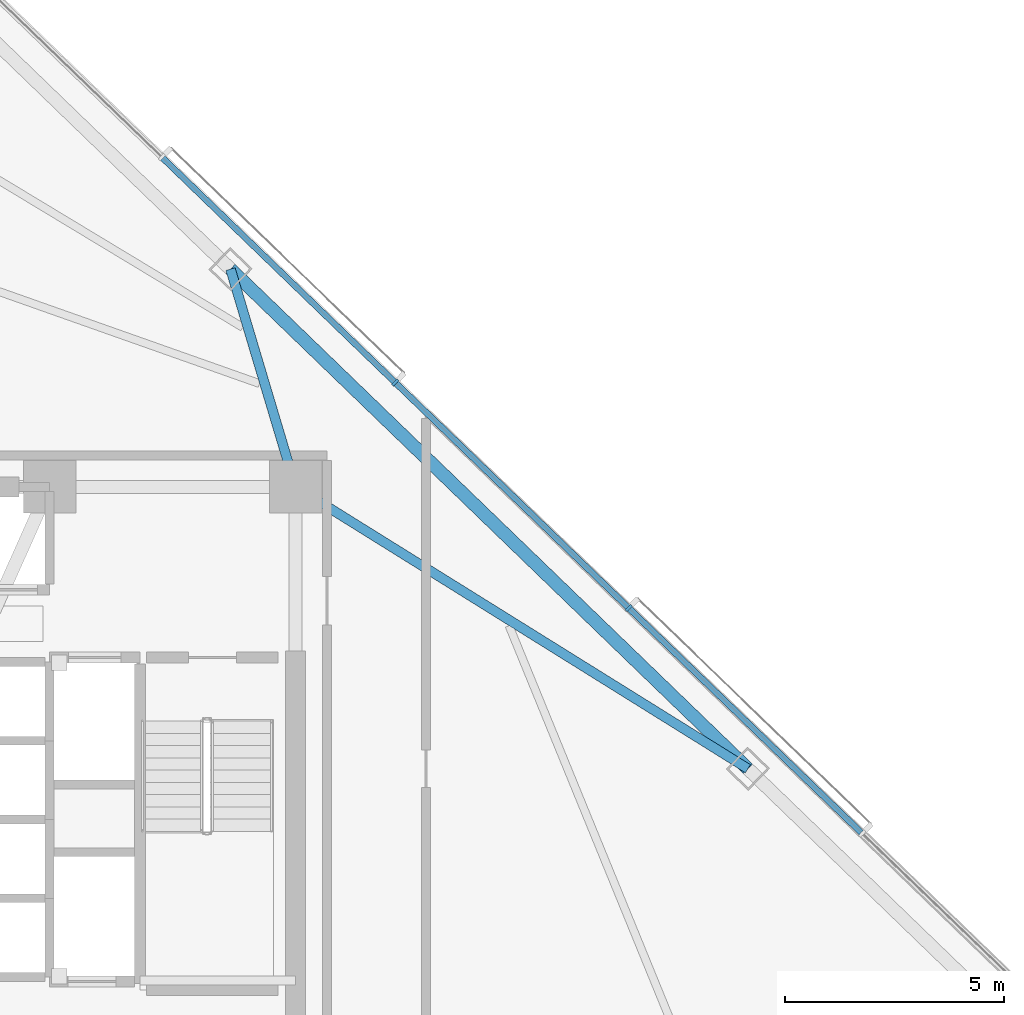
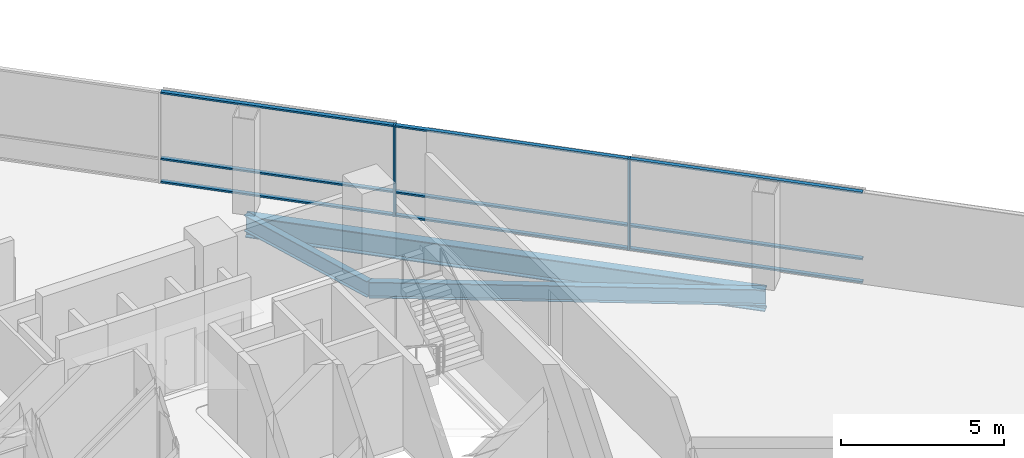
# One storey, part 7 of 16: 11 members, 3 beams, 1 element without a shape of its own.
"""IFC4 building model written with IfcOpenShell, lengths in metres."""

from ifc_helpers import new_model, si_unit, direction, frame, origin, origin_2d, place, context, subcontext, project, spatial, rectangle, i_section, extrude, material, layer, layer_set, material_profile, profile_set, type_object, element, aggregate, save


model = new_model("IFC4")

# Units and contexts
model_context = context("Model", 3, precision=1e-05, world=origin(), true_north=direction((0.0, 1.0)))
body_context = subcontext(model_context, "Body", "Model", "MODEL_VIEW")
ifc_project = project(units=[si_unit("LENGTHUNIT", "METRE"), si_unit("AREAUNIT", "SQUARE_METRE"), si_unit("VOLUMEUNIT", "CUBIC_METRE"), si_unit("PLANEANGLEUNIT", "RADIAN"), si_unit("MASSUNIT", "GRAM", prefix="KILO")], contexts=[model_context])

# Site, building, storey
site_placement = place(None, origin())
site = spatial("IfcSite", under=ifc_project, at=site_placement, CompositionType="ELEMENT")
building_placement = place(site_placement, origin())
building = spatial("IfcBuilding", under=site, at=building_placement, Name="Tharavind Bronze Gate", CompositionType="ELEMENT")
storey_placement = place(building_placement, frame((0.0, 0.0, 104.10009765625)))
storey = spatial("IfcBuildingStorey", under=building, at=storey_placement, Name="L26", CompositionType="ELEMENT", Elevation=104.10009765625)

# Curtain wall, members
ifc_material_1 = material(Name="Anodised Bronze Aluminium", Category="aluminium")
ifc_layer = layer(ifc_material_1, 0.219970703125)
ifc_layer_set = layer_set([ifc_layer], Name="Anodised Bronze Aluminium")
curtain_wall_type = type_object("IfcCurtainWallType", Name="UNITISED CURTAIN WALL LOWER OFFICE", PredefinedType="USERDEFINED", material=ifc_layer_set)
curtain_wall_placement = place(storey_placement, origin())
curtain_wall = element("IfcCurtainWall", 1, at=curtain_wall_placement, inside=storey, type_object=curtain_wall_type, Name="L26 unitised curtain wall lower office CW-L26-S3", ObjectType="UNITISED CURTAIN WALL", PredefinedType="USERDEFINED")
member_type_1 = type_object("IfcMemberType", Name="CURTAIN WALL BRONZE MULLION 65X180", PredefinedType="MULLION", material=ifc_material_1)
member_1_placement = place(storey_placement, frame((16.512939453125, 4.83251953125, 0.0), z_axis=(0.0, 0.0, 1.0), x_axis=(-0.719341012745, 0.694657114973, 0.0)))
member_1 = element("IfcMember", 2, at=member_1_placement, type_object=member_type_1, Name="CW-L26-S3 mullion 4", PredefinedType="MULLION", context=body_context, shape_type="SweptSolid", body=[
    extrude(rectangle(XDim=0.06494140625, YDim=0.179931640625, at=origin_2d()), origin(), (0.0, 0.0, 1.0), 3.409912109375),
])
member_2_placement = place(storey_placement, frame((11.1796875, 9.98291015625, 0.0), z_axis=(0.0, 0.0, 1.0), x_axis=(-0.719341012745, 0.694657114973, 0.0)))
member_2 = element("IfcMember", 3, at=member_2_placement, type_object=member_type_1, Name="CW-L26-S3 mullion 5", PredefinedType="MULLION", context=body_context, shape_type="SweptSolid", body=[
    extrude(rectangle(XDim=0.06494140625, YDim=0.179931640625, at=origin_2d()), origin(), (0.0, 0.0, 1.0), 3.409912109375),
])
member_type_2 = type_object("IfcMemberType", Name="CURTAIN WALL BRONZE TRANSOM 65X140", PredefinedType="USERDEFINED", material=ifc_material_1)
member_3_placement = place(storey_placement, frame((19.1796875, 2.25732421875, 0.0), z_axis=(0.0, 0.0, 1.0), x_axis=(-0.719341012745, 0.694657114973, 0.0)))
member_3 = element("IfcMember", 4, at=member_3_placement, type_object=member_type_2, Name="CW-L26-S3 transom TB3", ObjectType="TRANSOM", PredefinedType="USERDEFINED", context=body_context, shape_type="SweptSolid", body=[
    extrude(rectangle(XDim=7.361083984375, YDim=0.139892578125, at=origin_2d()), origin(), (0.0, 0.0, 1.0), 0.06494140625),
])
member_4_placement = place(storey_placement, frame((19.1796875, 2.25732421875, 0.867431640625), z_axis=(0.0, 0.0, 1.0), x_axis=(-0.719341012745, 0.694657114973, 0.0)))
member_4 = element("IfcMember", 5, at=member_4_placement, type_object=member_type_2, Name="CW-L26-S3 transom TS3", ObjectType="TRANSOM", PredefinedType="USERDEFINED", context=body_context, shape_type="SweptSolid", body=[
    extrude(rectangle(XDim=7.361083984375, YDim=0.139892578125, at=origin_2d()), origin(), (0.0, 0.0, 1.0), 0.06494140625),
])
member_5_placement = place(storey_placement, frame((19.1796875, 2.25732421875, 3.344970703125), z_axis=(0.0, 0.0, 1.0), x_axis=(-0.719341012745, 0.694657114973, 0.0)))
member_5 = element("IfcMember", 6, at=member_5_placement, type_object=member_type_2, Name="CW-L26-S3 transom TT3", ObjectType="TRANSOM", PredefinedType="USERDEFINED", context=body_context, shape_type="SweptSolid", body=[
    extrude(rectangle(XDim=7.361083984375, YDim=0.139892578125, at=origin_2d()), origin(), (0.0, 0.0, 1.0), 0.06494140625),
])
member_6_placement = place(storey_placement, frame((13.84619140625, 7.40771484375, 0.0), z_axis=(0.0, 0.0, 1.0), x_axis=(-0.719341012745, 0.694657114973, 0.0)))
member_6 = element("IfcMember", 7, at=member_6_placement, type_object=member_type_2, Name="CW-L26-S3 transom TB4", ObjectType="TRANSOM", PredefinedType="USERDEFINED", context=body_context, shape_type="SweptSolid", body=[
    extrude(rectangle(XDim=7.361083984375, YDim=0.139892578125, at=origin_2d()), origin(), (0.0, 0.0, 1.0), 0.06494140625),
])
member_7_placement = place(storey_placement, frame((13.84619140625, 7.40771484375, 0.867431640625), z_axis=(0.0, 0.0, 1.0), x_axis=(-0.719341012745, 0.694657114973, 0.0)))
member_7 = element("IfcMember", 8, at=member_7_placement, type_object=member_type_2, Name="CW-L26-S3 transom TS4", ObjectType="TRANSOM", PredefinedType="USERDEFINED", context=body_context, shape_type="SweptSolid", body=[
    extrude(rectangle(XDim=7.361083984375, YDim=0.139892578125, at=origin_2d()), origin(), (0.0, 0.0, 1.0), 0.06494140625),
])
member_8_placement = place(storey_placement, frame((13.84619140625, 7.40771484375, 3.344970703125), z_axis=(0.0, 0.0, 1.0), x_axis=(-0.719341012745, 0.694657114973, 0.0)))
member_8 = element("IfcMember", 9, at=member_8_placement, type_object=member_type_2, Name="CW-L26-S3 transom TT4", ObjectType="TRANSOM", PredefinedType="USERDEFINED", context=body_context, shape_type="SweptSolid", body=[
    extrude(rectangle(XDim=7.361083984375, YDim=0.139892578125, at=origin_2d()), origin(), (0.0, 0.0, 1.0), 0.06494140625),
])
member_9_placement = place(storey_placement, frame((8.512939453125, 12.55810546875, 0.0), z_axis=(0.0, 0.0, 1.0), x_axis=(-0.719341012745, 0.694657114973, 0.0)))
member_9 = element("IfcMember", 10, at=member_9_placement, type_object=member_type_2, Name="CW-L26-S3 transom TB5", ObjectType="TRANSOM", PredefinedType="USERDEFINED", context=body_context, shape_type="SweptSolid", body=[
    extrude(rectangle(XDim=7.361083984375, YDim=0.139892578125, at=origin_2d()), origin(), (0.0, 0.0, 1.0), 0.06494140625),
])
member_10_placement = place(storey_placement, frame((8.512939453125, 12.55810546875, 0.867431640625), z_axis=(0.0, 0.0, 1.0), x_axis=(-0.719341012745, 0.694657114973, 0.0)))
member_10 = element("IfcMember", 11, at=member_10_placement, type_object=member_type_2, Name="CW-L26-S3 transom TS5", ObjectType="TRANSOM", PredefinedType="USERDEFINED", context=body_context, shape_type="SweptSolid", body=[
    extrude(rectangle(XDim=7.361083984375, YDim=0.139892578125, at=origin_2d()), origin(), (0.0, 0.0, 1.0), 0.06494140625),
])
member_11_placement = place(storey_placement, frame((8.512939453125, 12.55810546875, 3.344970703125), z_axis=(0.0, 0.0, 1.0), x_axis=(-0.719341012745, 0.694657114973, 0.0)))
member_11 = element("IfcMember", 12, at=member_11_placement, type_object=member_type_2, Name="CW-L26-S3 transom TT5", ObjectType="TRANSOM", PredefinedType="USERDEFINED", context=body_context, shape_type="SweptSolid", body=[
    extrude(rectangle(XDim=7.361083984375, YDim=0.139892578125, at=origin_2d()), origin(), (0.0, 0.0, 1.0), 0.06494140625),
])
aggregate(curtain_wall, [member_1, member_2, member_3, member_4, member_5, member_6, member_7, member_8, member_9, member_10, member_11])

# Beams
ifc_material_2 = material(Name="Steel S355", Category="steel")
ifc_material_profile_1 = material_profile(ifc_material_2, i_section(OverallWidth=0.219970703125, OverallDepth=0.60009765625, WebThickness=0.011962890625, FlangeThickness=0.01904296875, at=origin_2d()), Name="IPE600")
ifc_profile_set_1 = profile_set([ifc_material_profile_1], Name="Steel S355")
beam_type_1 = type_object("IfcBeamType", Name="PRIMARY GIRDER IPE600", PredefinedType="USERDEFINED", material=ifc_profile_set_1)
beam_1_placement = place(storey_placement, frame((19.236083984375, 1.160400390625, -0.489990234375), z_axis=(-0.848750917637, 0.528792851513, 0.0), x_axis=(-0.528792851513, -0.848750917637, 0.0)))
element("IfcBeam", 13, at=beam_1_placement, inside=storey, type_object=beam_type_1, Name="L26 primary girder ipe600 BM-L26-RAD10", ObjectType="GIRDER", PredefinedType="USERDEFINED", context=body_context, shape_type="SweptSolid", body=[
    extrude(i_section(OverallWidth=0.219970703125, OverallDepth=0.60009765625, WebThickness=0.011962890625, FlangeThickness=0.01904296875, at=origin_2d()), origin(), (0.0, 0.0, 1.0), 12.17822265625),
])
beam_2_placement = place(storey_placement, frame((7.41455078125, 12.576171875, -0.489990234375), z_axis=(0.286027795034, -0.958221321234, 0.0), x_axis=(0.958221321234, 0.286027795034, 0.0)))
element("IfcBeam", 14, at=beam_2_placement, inside=storey, type_object=beam_type_1, Name="L26 primary girder ipe600 BM-L26-RAD11", ObjectType="GIRDER", PredefinedType="USERDEFINED", context=body_context, shape_type="SweptSolid", body=[
    extrude(i_section(OverallWidth=0.219970703125, OverallDepth=0.60009765625, WebThickness=0.011962890625, FlangeThickness=0.01904296875, at=origin_2d()), origin(), (0.0, 0.0, 1.0), 5.193115234375),
])
ifc_material_profile_2 = material_profile(ifc_material_2, i_section(OverallWidth=0.300048828125, OverallDepth=0.800048828125, WebThickness=0.017578125, FlangeThickness=0.032958984375, at=origin_2d()), Name="HE800B")
ifc_profile_set_2 = profile_set([ifc_material_profile_2], Name="Steel S355")
beam_type_2 = type_object("IfcBeamType", Name="RING GIRDER HE800B", PredefinedType="USERDEFINED", material=ifc_profile_set_2)
beam_3_placement = place(storey_placement, frame((19.236083984375, 1.160400390625, -0.590087890625), z_axis=(-0.719344374421, 0.694653633827, 0.0), x_axis=(-0.694653633827, -0.719344374421, 0.0)))
element("IfcBeam", 15, at=beam_3_placement, inside=storey, type_object=beam_type_2, Name="L26 ring girder he800b BM-L26-PRG10", ObjectType="GIRDER", PredefinedType="USERDEFINED", context=body_context, shape_type="SweptSolid", body=[
    extrude(i_section(OverallWidth=0.300048828125, OverallDepth=0.800048828125, WebThickness=0.017578125, FlangeThickness=0.032958984375, at=origin_2d()), origin(), (0.0, 0.0, 1.0), 16.433837890625),
])

save(model, "model.ifc")
